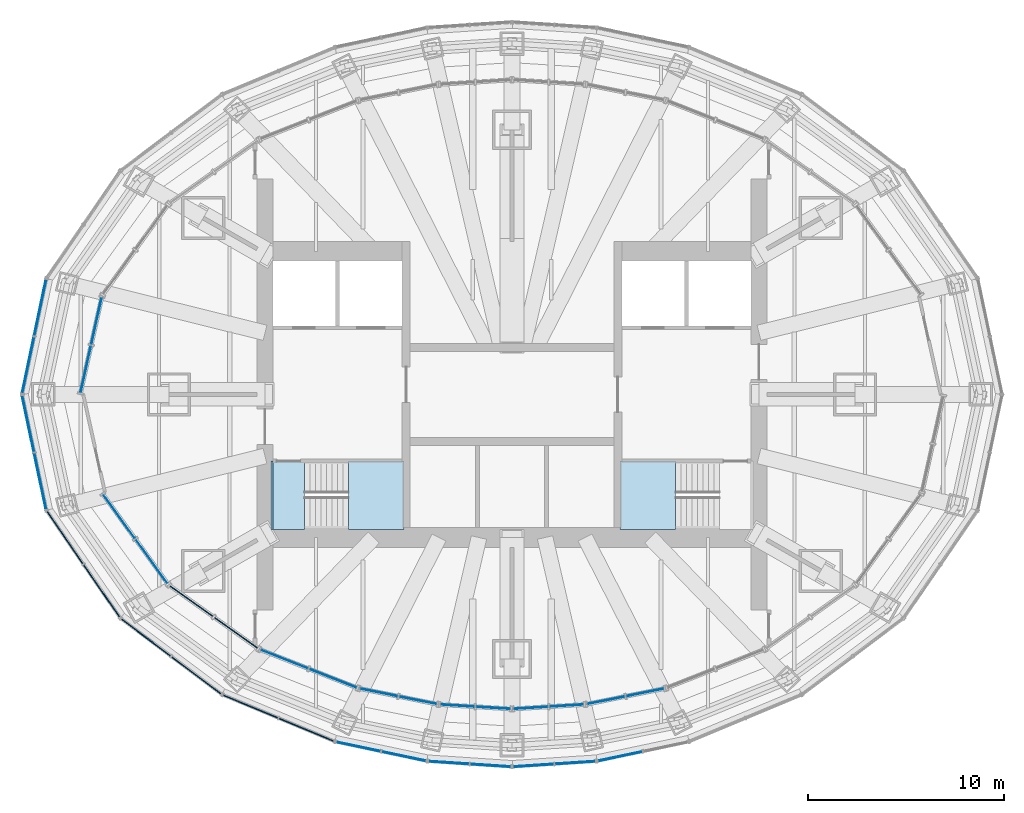
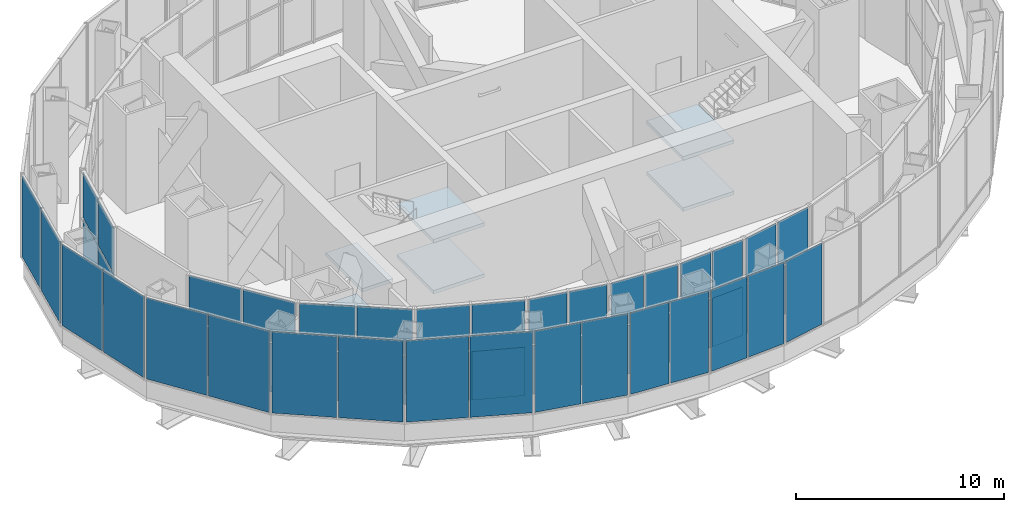
# One storey, part 13 of 21: 49 plates, 6 slabs, 19 elements without a shape of their own.
"""IFC4 building model written with IfcOpenShell, lengths in metres."""

import ifcopenshell
import ifcopenshell.guid

model = None  # the IFC model being written
_history = None  # IfcOwnerHistory: only IFC2X3 demands one
_inside = {}  # id of a spatial element -> (the spatial element, [elements in it])
_under = {}  # id of a project, library or spatial element -> (it, [spatial elements below it])
_declared = {}  # id of a project -> (the project, [libraries it declares])
_typed = {}  # id of a type object -> (the type object, [elements of that type])
_made_of = {}  # id of a material, layer set ... -> (it, [elements and type objects made of it])


def new_model(schema):
    """Start an empty IFC model of exactly this schema.

    Asked for "IFC4X3", IfcOpenShell would pick the latest addendum, in which some entities
    have other attributes; the version numbers below select the first issue.
    IFC2X3 requires an IfcOwnerHistory on every rooted entity: one is made here for all.
    """
    global model, _history
    if schema == "IFC4X3":
        model = ifcopenshell.file(schema_version=(4, 3, 0, 0))
    else:
        model = ifcopenshell.file(schema=schema)
    _inside.clear()
    _under.clear()
    _declared.clear()
    _typed.clear()
    _made_of.clear()
    _history = None
    if model.schema == "IFC2X3":
        org = make("IfcOrganization", Name="unknown")
        user = make(
            "IfcPersonAndOrganization",
            ThePerson=make("IfcPerson", FamilyName="unknown"),
            TheOrganization=org,
        )
        app = make(
            "IfcApplication",
            ApplicationDeveloper=org,
            Version="unknown",
            ApplicationFullName="unknown",
            ApplicationIdentifier="unknown",
        )
        _history = make(
            "IfcOwnerHistory",
            OwningUser=user,
            OwningApplication=app,
            ChangeAction="ADDED",
            CreationDate=0,
        )
    return model


def make(cls, **values):
    """One entity of the class cls with the attributes given. An attribute that is None is left unset."""
    return model.create_entity(
        cls, **{name: value for name, value in values.items() if value is not None}
    )


def rooted(cls, **values):
    """An entity with a GlobalId (a new one), such as an element, a storey or a relation."""
    return make(cls, GlobalId=ifcopenshell.guid.new(), OwnerHistory=_history, **values)


def si_unit(unit_type, name, prefix=None):
    """IfcSIUnit, for example si_unit("LENGTHUNIT", "METRE", prefix="MILLI")."""
    return make("IfcSIUnit", UnitType=unit_type, Prefix=prefix, Name=name)


def assignment(units):
    """IfcUnitAssignment: the units of a project."""
    return None if units is None else make("IfcUnitAssignment", Units=units)


def point(xyz):
    """IfcCartesianPoint."""
    return None if xyz is None else make("IfcCartesianPoint", Coordinates=xyz)


def direction(xyz):
    """IfcDirection."""
    return None if xyz is None else make("IfcDirection", DirectionRatios=xyz)


def frame(location, z_axis=None, x_axis=None):
    """IfcAxis2Placement3D, a coordinate frame: its origin and axes. An axis left out is left unset."""
    return make(
        "IfcAxis2Placement3D",
        Location=point(location),
        Axis=direction(z_axis),
        RefDirection=direction(x_axis),
    )


def frame_2d(location, x_axis=None):
    """IfcAxis2Placement2D, a coordinate frame in the plane: its origin and x axis."""
    return make(
        "IfcAxis2Placement2D", Location=point(location), RefDirection=direction(x_axis)
    )


def origin():
    """The frame at (0, 0, 0) with its axes left unset."""
    return frame((0.0, 0.0, 0.0))


def origin_2d():
    """The frame at (0, 0) in the plane with its x axis left unset."""
    return frame_2d((0.0, 0.0))


def place(relative_to, where):
    """IfcLocalPlacement: puts the frame where relative to a parent placement (None: the world)."""
    return make(
        "IfcLocalPlacement", PlacementRelTo=relative_to, RelativePlacement=where
    )


def context(
    kind, dimensions, precision=None, world=None, true_north=None, identifier=None
):
    """IfcGeometricRepresentationContext, for example the 3D "Model" context."""
    return make(
        "IfcGeometricRepresentationContext",
        ContextIdentifier=identifier,
        ContextType=kind,
        CoordinateSpaceDimension=dimensions,
        Precision=precision,
        WorldCoordinateSystem=world,
        TrueNorth=true_north,
    )


def subcontext(parent, identifier, kind, view, scale=None):
    """IfcGeometricRepresentationSubContext, for example "Body" below "Model"."""
    return make(
        "IfcGeometricRepresentationSubContext",
        ContextIdentifier=identifier,
        ContextType=kind,
        ParentContext=parent,
        TargetScale=scale,
        TargetView=view,
    )


def project(units=None, contexts=None):
    """IfcProject with its units and contexts."""
    return rooted(
        "IfcProject",
        Name="project",
        RepresentationContexts=contexts,
        UnitsInContext=assignment(units),
    )


def spatial(cls, under=None, at=None, **own):
    """A site, building, storey or space (cls), placed at a placement, below another one or the project."""
    s = rooted(cls, ObjectPlacement=at, **own)
    if under is not None:
        _under.setdefault(under.id(), (under, []))[1].append(s)
    return s


def polyline(points):
    """IfcPolyline through the points."""
    return make("IfcPolyline", Points=[point(p) for p in points])


def profile(cls, at=None, kind="AREA", **sizes):
    """A parametric profile (cls). Its sizes go by their IFC names, for example OverallWidth=200.0."""
    return make(cls, ProfileType=kind, Position=at, **sizes)


def rectangle(**sizes):
    """IfcRectangleProfileDef."""
    return profile("IfcRectangleProfileDef", **sizes)


def outline(outer, holes=None, kind="AREA"):
    """IfcArbitraryClosedProfileDef: a profile drawn as a closed curve; with holes, ...WithVoids."""
    if holes is None:
        return make("IfcArbitraryClosedProfileDef", ProfileType=kind, OuterCurve=outer)
    return make(
        "IfcArbitraryProfileDefWithVoids",
        ProfileType=kind,
        OuterCurve=outer,
        InnerCurves=holes,
    )


def extrude(swept, where, along, depth):
    """IfcExtrudedAreaSolid: the profile swept, set in the frame where, extruded along a direction by depth."""
    return make(
        "IfcExtrudedAreaSolid",
        SweptArea=swept,
        Position=where,
        ExtrudedDirection=direction(along),
        Depth=depth,
    )


def shape(context_of_items, identifier, shape_type, items):
    """IfcShapeRepresentation: the items that make up one representation, for example the "Body"."""
    return make(
        "IfcShapeRepresentation",
        ContextOfItems=context_of_items,
        RepresentationIdentifier=identifier,
        RepresentationType=shape_type,
        Items=items,
    )


def material(Name=None, Category=None):
    """IfcMaterial."""
    return make("IfcMaterial", Name=Name, Category=Category)


def layer(
    of_material, thickness, ventilated=None, Name=None, Category=None, Priority=None
):
    """IfcMaterialLayer: one layer of a wall or slab, of a material (None: an air gap)."""
    return make(
        "IfcMaterialLayer",
        Material=of_material,
        LayerThickness=thickness,
        IsVentilated=ventilated,
        Name=Name,
        Category=Category,
        Priority=Priority,
    )


def layer_set(layers, Name=None):
    """IfcMaterialLayerSet."""
    return make("IfcMaterialLayerSet", MaterialLayers=layers, LayerSetName=Name)


def made_of(thing, what):
    """Note that an element or type object is made of a material, layer set ...; save() writes the relation."""
    if what is not None:
        _made_of.setdefault(what.id(), (what, []))[1].append(thing)
    return thing


def type_object(cls, material=None, **own):
    """A type object (cls), such as IfcWallType, which elements share."""
    return made_of(rooted(cls, **own), material)


def element(
    cls,
    number,
    at=None,
    inside=None,
    cuts=None,
    type_object=None,
    material=None,
    context=None,
    identifier="Body",
    shape_type=None,
    held_by="IfcProductDefinitionShape",
    body=None,
    shapes=None,
    **own,
):
    """One element of the class cls, such as IfcWall. Its Tag is "e" and its number.

    at: its placement. inside: the storey or other place that contains it. cuts: it is an
    opening in that element (IfcRelVoidsElement). A single representation is given by context,
    identifier, shape_type and body (its items); several are given by shapes. held_by: the class
    of the entity that holds the representations. save() writes the other relations.
    """
    e = rooted(cls, Tag="e%d" % number, ObjectPlacement=at, **own)
    if body is not None:
        shapes = [shape(context, identifier, shape_type, body)]
    if shapes is not None:
        e.Representation = make(held_by, Representations=shapes)
    if inside is not None:
        _inside.setdefault(inside.id(), (inside, []))[1].append(e)
    if cuts is not None:
        rooted(
            "IfcRelVoidsElement", RelatingBuildingElement=cuts, RelatedOpeningElement=e
        )
    if type_object is not None:
        _typed.setdefault(type_object.id(), (type_object, []))[1].append(e)
    return made_of(e, material)


def aggregate(whole, parts):
    """IfcRelAggregates: a whole, such as a stair, and the parts it consists of."""
    return rooted("IfcRelAggregates", RelatingObject=whole, RelatedObjects=parts)


def save(model, path):
    """Write the relations noted so far, then the file.

    IfcRelAggregates (storeys below a building ...), IfcRelContainedInSpatialStructure (elements
    in a storey), IfcRelDefinesByType, IfcRelAssociatesMaterial and IfcRelDeclares: one each for
    every whole, place, type object, material and project.
    """
    for whole, parts in _under.values():
        aggregate(whole, parts)
    for where, things in _inside.values():
        rooted(
            "IfcRelContainedInSpatialStructure",
            RelatedElements=things,
            RelatingStructure=where,
        )
    for kind, things in _typed.values():
        rooted("IfcRelDefinesByType", RelatedObjects=things, RelatingType=kind)
    for what, things in _made_of.values():
        rooted("IfcRelAssociatesMaterial", RelatedObjects=things, RelatingMaterial=what)
    for by, libraries in _declared.values():
        rooted("IfcRelDeclares", RelatingContext=by, RelatedDefinitions=libraries)
    model.write(path)


model = new_model("IFC4")

# Units and contexts
model_context = context("Model", 3, precision=1e-05, world=origin(), true_north=direction((0.0, 1.0)))
body_context = subcontext(model_context, "Body", "Model", "MODEL_VIEW")
ifc_project = project(units=[si_unit("LENGTHUNIT", "METRE"), si_unit("AREAUNIT", "SQUARE_METRE"), si_unit("VOLUMEUNIT", "CUBIC_METRE"), si_unit("PLANEANGLEUNIT", "RADIAN"), si_unit("MASSUNIT", "GRAM", prefix="KILO")], contexts=[model_context])

# Site, building, storey
site_placement = place(None, origin())
site = spatial("IfcSite", under=ifc_project, at=site_placement, CompositionType="ELEMENT")
building_placement = place(site_placement, origin())
building = spatial("IfcBuilding", under=site, at=building_placement, Name="Lantaw Convention Tower", CompositionType="ELEMENT")
storey_placement = place(building_placement, frame((0.0, 0.0, 284.39990234375)))
storey = spatial("IfcBuildingStorey", under=building, at=storey_placement, Name="L66", CompositionType="ELEMENT", Elevation=284.39990234375)

# Curtain wall, plates
ifc_material_1 = material(Name="Aluminium framed curtain wall", Category="aluminium")
curtain_wall_type_1 = type_object("IfcCurtainWallType", Name="Lantern corner louvre curtain wall, pale aluminium", PredefinedType="USERDEFINED", material=ifc_material_1)
curtain_wall_1_placement = place(storey_placement, origin())
curtain_wall_1 = element("IfcCurtainWall", 1, at=curtain_wall_1_placement, inside=storey, type_object=curtain_wall_type_1, Name="Lantern corner louvre curtain wall, pale aluminium L66", ObjectType="LOUVRE WALL", PredefinedType="USERDEFINED")
ifc_material_2 = material(Name="Aluminium louvre blades", Category="aluminium")
ifc_layer_1 = layer(ifc_material_2, 0.050048828125)
ifc_layer_set_1 = layer_set([ifc_layer_1], Name="CW-LC panel 50")
plate_type_1 = type_object("IfcPlateType", Name="CW-LC panel 50", PredefinedType="CURTAIN_PANEL", material=ifc_layer_set_1)
plate_1_placement = place(storey_placement, frame((-16.344970703125, -10.549072265625, 0.10009765625), z_axis=(0.0, 0.0, 1.0), x_axis=(0.814841441337, -0.579683901346, 0.0)))
plate_1 = element("IfcPlate", 2, at=plate_1_placement, type_object=plate_type_1, Name="CW-LC panel 1.1", PredefinedType="CURTAIN_PANEL", context=body_context, shape_type="SweptSolid", body=[
    extrude(rectangle(XDim=2.680419921875, YDim=0.050048828125, at=origin_2d()), origin(), (0.0, 0.0, 1.0), 2.85009765625),
])
plate_2_placement = place(storey_placement, frame((-16.344970703125, -10.549072265625, 3.050048828125), z_axis=(0.0, 0.0, 1.0), x_axis=(0.814841441337, -0.579683901346, 0.0)))
plate_2 = element("IfcPlate", 3, at=plate_2_placement, type_object=plate_type_1, Name="CW-LC panel 1.2", PredefinedType="CURTAIN_PANEL", context=body_context, shape_type="SweptSolid", body=[
    extrude(rectangle(XDim=2.680419921875, YDim=0.050048828125, at=origin_2d()), origin(), (0.0, 0.0, 1.0), 2.64990234375),
])
plate_3_placement = place(storey_placement, frame((-14.079345703125, -12.16064453125, 0.10009765625), z_axis=(0.0, 0.0, 1.0), x_axis=(0.814841441337, -0.579683901346, 0.0)))
plate_3 = element("IfcPlate", 4, at=plate_3_placement, type_object=plate_type_1, Name="CW-LC panel 2.1", PredefinedType="CURTAIN_PANEL", context=body_context, shape_type="SweptSolid", body=[
    extrude(rectangle(XDim=2.680419921875, YDim=0.050048828125, at=origin_2d()), origin(), (0.0, 0.0, 1.0), 2.85009765625),
])
plate_4_placement = place(storey_placement, frame((-14.079345703125, -12.16064453125, 3.050048828125), z_axis=(0.0, 0.0, 1.0), x_axis=(0.814841441337, -0.579683901346, 0.0)))
plate_4 = element("IfcPlate", 5, at=plate_4_placement, type_object=plate_type_1, Name="CW-LC panel 2.2", PredefinedType="CURTAIN_PANEL", context=body_context, shape_type="SweptSolid", body=[
    extrude(rectangle(XDim=2.680419921875, YDim=0.050048828125, at=origin_2d()), origin(), (0.0, 0.0, 1.0), 2.64990234375),
])
aggregate(curtain_wall_1, [plate_1, plate_2, plate_3, plate_4])

curtain_wall_type_2 = type_object("IfcCurtainWallType", Name="LANTERN glazing curtain wall, pale aluminium", PredefinedType="USERDEFINED", material=ifc_material_1)
curtain_wall_2_placement = place(storey_placement, origin())
curtain_wall_2 = element("IfcCurtainWall", 6, at=curtain_wall_2_placement, inside=storey, type_object=curtain_wall_type_2, Name="LANTERN glazing curtain wall, pale aluminium L66", ObjectType="LANTERN GLAZING", PredefinedType="USERDEFINED")
ifc_material_3 = material(Name="Low-iron laminated glass", Category="glass")
ifc_layer_2 = layer(ifc_material_3, 0.035888671875)
ifc_layer_set_2 = layer_set([ifc_layer_2], Name="CW-LN panel 36")
plate_type_2 = type_object("IfcPlateType", Name="CW-LN panel 36", PredefinedType="CURTAIN_PANEL", material=ifc_layer_set_2)
plate_5_placement = place(storey_placement, frame((-21.193603515625, 3.75244140625, 0.10009765625), z_axis=(0.0, 0.0, 1.0), x_axis=(-0.216765379683, -0.976223729568, 0.0)))
plate_5 = element("IfcPlate", 7, at=plate_5_placement, type_object=plate_type_2, Name="CW-LN panel 1.1", PredefinedType="CURTAIN_PANEL", context=body_context, shape_type="SweptSolid", body=[
    extrude(rectangle(XDim=2.42919921875, YDim=0.035888671875, at=origin_2d()), origin(), (0.0, 0.0, 1.0), 2.85009765625),
])
plate_6_placement = place(storey_placement, frame((-21.193603515625, 3.75244140625, 3.050048828125), z_axis=(0.0, 0.0, 1.0), x_axis=(-0.216765379683, -0.976223729568, 0.0)))
plate_6 = element("IfcPlate", 8, at=plate_6_placement, type_object=plate_type_2, Name="CW-LN panel 1.2", PredefinedType="CURTAIN_PANEL", context=body_context, shape_type="SweptSolid", body=[
    extrude(rectangle(XDim=2.42919921875, YDim=0.035888671875, at=origin_2d()), origin(), (0.0, 0.0, 1.0), 2.64990234375),
])
plate_7_placement = place(storey_placement, frame((-21.741943359375, 1.283203125, 0.10009765625), z_axis=(0.0, 0.0, 1.0), x_axis=(-0.216765379683, -0.976223729568, 0.0)))
plate_7 = element("IfcPlate", 9, at=plate_7_placement, type_object=plate_type_2, Name="CW-LN panel 2.1", PredefinedType="CURTAIN_PANEL", context=body_context, shape_type="SweptSolid", body=[
    extrude(rectangle(XDim=2.42919921875, YDim=0.035888671875, at=origin_2d()), origin(), (0.0, 0.0, 1.0), 2.85009765625),
])
plate_8_placement = place(storey_placement, frame((-21.741943359375, 1.283203125, 3.050048828125), z_axis=(0.0, 0.0, 1.0), x_axis=(-0.216765379683, -0.976223729568, 0.0)))
plate_8 = element("IfcPlate", 10, at=plate_8_placement, type_object=plate_type_2, Name="CW-LN panel 2.2", PredefinedType="CURTAIN_PANEL", context=body_context, shape_type="SweptSolid", body=[
    extrude(rectangle(XDim=2.42919921875, YDim=0.035888671875, at=origin_2d()), origin(), (0.0, 0.0, 1.0), 2.64990234375),
])
aggregate(curtain_wall_2, [plate_5, plate_6, plate_7, plate_8])

curtain_wall_3_placement = place(storey_placement, origin())
curtain_wall_3 = element("IfcCurtainWall", 11, at=curtain_wall_3_placement, inside=storey, type_object=curtain_wall_type_2, Name="LANTERN glazing curtain wall, pale aluminium L66", ObjectType="LANTERN GLAZING", PredefinedType="USERDEFINED")
plate_9_placement = place(storey_placement, frame((-20.04638671875, -6.2255859375, 0.10009765625), z_axis=(0.0, 0.0, 1.0), x_axis=(0.586786346995, -0.809741800193, 0.0)))
plate_9 = element("IfcPlate", 12, at=plate_9_placement, type_object=plate_type_2, Name="CW-LN panel 1.1", PredefinedType="CURTAIN_PANEL", context=body_context, shape_type="SweptSolid", body=[
    extrude(rectangle(XDim=2.73876953125, YDim=0.035888671875, at=origin_2d()), origin(), (0.0, 0.0, 1.0), 2.85009765625),
])
plate_10_placement = place(storey_placement, frame((-20.04638671875, -6.2255859375, 3.050048828125), z_axis=(0.0, 0.0, 1.0), x_axis=(0.586786346995, -0.809741800193, 0.0)))
plate_10 = element("IfcPlate", 13, at=plate_10_placement, type_object=plate_type_2, Name="CW-LN panel 1.2", PredefinedType="CURTAIN_PANEL", context=body_context, shape_type="SweptSolid", body=[
    extrude(rectangle(XDim=2.73876953125, YDim=0.035888671875, at=origin_2d()), origin(), (0.0, 0.0, 1.0), 2.64990234375),
])
plate_11_placement = place(storey_placement, frame((-18.380615234375, -8.524169921875, 0.10009765625), z_axis=(0.0, 0.0, 1.0), x_axis=(0.586786346995, -0.809741800193, 0.0)))
plate_11 = element("IfcPlate", 14, at=plate_11_placement, type_object=plate_type_2, Name="CW-LN panel 2.1", PredefinedType="CURTAIN_PANEL", context=body_context, shape_type="SweptSolid", body=[
    extrude(rectangle(XDim=2.73876953125, YDim=0.035888671875, at=origin_2d()), origin(), (0.0, 0.0, 1.0), 2.85009765625),
])
plate_12_placement = place(storey_placement, frame((-18.380615234375, -8.524169921875, 3.050048828125), z_axis=(0.0, 0.0, 1.0), x_axis=(0.586786346995, -0.809741800193, 0.0)))
plate_12 = element("IfcPlate", 15, at=plate_12_placement, type_object=plate_type_2, Name="CW-LN panel 2.2", PredefinedType="CURTAIN_PANEL", context=body_context, shape_type="SweptSolid", body=[
    extrude(rectangle(XDim=2.73876953125, YDim=0.035888671875, at=origin_2d()), origin(), (0.0, 0.0, 1.0), 2.64990234375),
])
aggregate(curtain_wall_3, [plate_9, plate_10, plate_11, plate_12])

curtain_wall_4_placement = place(storey_placement, origin())
curtain_wall_4 = element("IfcCurtainWall", 16, at=curtain_wall_4_placement, inside=storey, type_object=curtain_wall_type_2, Name="LANTERN glazing curtain wall, pale aluminium L66", ObjectType="LANTERN GLAZING", PredefinedType="USERDEFINED")
plate_13_placement = place(storey_placement, frame((-11.615234375, -13.50439453125, 0.10009765625), z_axis=(0.0, 0.0, 1.0), x_axis=(0.930299050885, -0.366801957358, 0.0)))
plate_13 = element("IfcPlate", 17, at=plate_13_placement, type_object=plate_type_2, Name="CW-LN panel 1.1", PredefinedType="CURTAIN_PANEL", context=body_context, shape_type="SweptSolid", body=[
    extrude(rectangle(XDim=2.574462890625, YDim=0.035888671875, at=origin_2d()), origin(), (0.0, 0.0, 1.0), 2.85009765625),
])
plate_14_placement = place(storey_placement, frame((-11.615234375, -13.50439453125, 3.050048828125), z_axis=(0.0, 0.0, 1.0), x_axis=(0.930299050885, -0.366801957358, 0.0)))
plate_14 = element("IfcPlate", 18, at=plate_14_placement, type_object=plate_type_2, Name="CW-LN panel 1.2", PredefinedType="CURTAIN_PANEL", context=body_context, shape_type="SweptSolid", body=[
    extrude(rectangle(XDim=2.574462890625, YDim=0.035888671875, at=origin_2d()), origin(), (0.0, 0.0, 1.0), 2.64990234375),
])
plate_15_placement = place(storey_placement, frame((-9.127197265625, -14.4853515625, 0.10009765625), z_axis=(0.0, 0.0, 1.0), x_axis=(0.930299050885, -0.366801957358, 0.0)))
plate_15 = element("IfcPlate", 19, at=plate_15_placement, type_object=plate_type_2, Name="CW-LN panel 2.1", PredefinedType="CURTAIN_PANEL", context=body_context, shape_type="SweptSolid", body=[
    extrude(rectangle(XDim=2.574462890625, YDim=0.035888671875, at=origin_2d()), origin(), (0.0, 0.0, 1.0), 2.85009765625),
])
plate_16_placement = place(storey_placement, frame((-9.127197265625, -14.4853515625, 3.050048828125), z_axis=(0.0, 0.0, 1.0), x_axis=(0.930299050885, -0.366801957358, 0.0)))
plate_16 = element("IfcPlate", 20, at=plate_16_placement, type_object=plate_type_2, Name="CW-LN panel 2.2", PredefinedType="CURTAIN_PANEL", context=body_context, shape_type="SweptSolid", body=[
    extrude(rectangle(XDim=2.574462890625, YDim=0.035888671875, at=origin_2d()), origin(), (0.0, 0.0, 1.0), 2.64990234375),
])
aggregate(curtain_wall_4, [plate_13, plate_14, plate_15, plate_16])

curtain_wall_5_placement = place(storey_placement, origin())
curtain_wall_5 = element("IfcCurtainWall", 21, at=curtain_wall_5_placement, inside=storey, type_object=curtain_wall_type_2, Name="LANTERN glazing curtain wall, pale aluminium L66", ObjectType="LANTERN GLAZING", PredefinedType="USERDEFINED")
plate_17_placement = place(storey_placement, frame((-6.789306640625, -15.2041015625, 0.10009765625), z_axis=(0.0, 0.0, 1.0), x_axis=(0.980530423622, -0.196367228305, 0.0)))
plate_17 = element("IfcPlate", 22, at=plate_17_placement, type_object=plate_type_2, Name="CW-LN panel 1.1", PredefinedType="CURTAIN_PANEL", context=body_context, shape_type="SweptSolid", body=[
    extrude(rectangle(XDim=1.936279296875, YDim=0.035888671875, at=origin_2d()), origin(), (0.0, 0.0, 1.0), 2.85009765625),
])
plate_18_placement = place(storey_placement, frame((-6.789306640625, -15.2041015625, 3.050048828125), z_axis=(0.0, 0.0, 1.0), x_axis=(0.980530423622, -0.196367228305, 0.0)))
plate_18 = element("IfcPlate", 23, at=plate_18_placement, type_object=plate_type_2, Name="CW-LN panel 1.2", PredefinedType="CURTAIN_PANEL", context=body_context, shape_type="SweptSolid", body=[
    extrude(rectangle(XDim=1.936279296875, YDim=0.035888671875, at=origin_2d()), origin(), (0.0, 0.0, 1.0), 2.64990234375),
])
plate_19_placement = place(storey_placement, frame((-4.792724609375, -15.60400390625, 0.10009765625), z_axis=(0.0, 0.0, 1.0), x_axis=(0.980530423622, -0.196367228305, 0.0)))
plate_19 = element("IfcPlate", 24, at=plate_19_placement, type_object=plate_type_2, Name="CW-LN panel 2.1", PredefinedType="CURTAIN_PANEL", context=body_context, shape_type="SweptSolid", body=[
    extrude(rectangle(XDim=1.936279296875, YDim=0.035888671875, at=origin_2d()), origin(), (0.0, 0.0, 1.0), 2.85009765625),
])
plate_20_placement = place(storey_placement, frame((-4.792724609375, -15.60400390625, 3.050048828125), z_axis=(0.0, 0.0, 1.0), x_axis=(0.980530423622, -0.196367228305, 0.0)))
plate_20 = element("IfcPlate", 25, at=plate_20_placement, type_object=plate_type_2, Name="CW-LN panel 2.2", PredefinedType="CURTAIN_PANEL", context=body_context, shape_type="SweptSolid", body=[
    extrude(rectangle(XDim=1.936279296875, YDim=0.035888671875, at=origin_2d()), origin(), (0.0, 0.0, 1.0), 2.64990234375),
])
aggregate(curtain_wall_5, [plate_17, plate_18, plate_19, plate_20])

curtain_wall_6_placement = place(storey_placement, origin())
curtain_wall_6 = element("IfcCurtainWall", 26, at=curtain_wall_6_placement, inside=storey, type_object=curtain_wall_type_2, Name="LANTERN glazing curtain wall, pale aluminium L66", ObjectType="LANTERN GLAZING", PredefinedType="USERDEFINED")
plate_21_placement = place(storey_placement, frame((-2.783935546875, -15.873779296875, 0.10009765625), z_axis=(0.0, 0.0, 1.0), x_axis=(0.998045676091, -0.062488626454, 0.0)))
plate_21 = element("IfcPlate", 27, at=plate_21_placement, type_object=plate_type_2, Name="CW-LN panel 1.1", PredefinedType="CURTAIN_PANEL", context=body_context, shape_type="SweptSolid", body=[
    extrude(rectangle(XDim=1.726318359375, YDim=0.035888671875, at=origin_2d()), origin(), (0.0, 0.0, 1.0), 2.85009765625),
])
plate_22_placement = place(storey_placement, frame((-2.783935546875, -15.873779296875, 3.050048828125), z_axis=(0.0, 0.0, 1.0), x_axis=(0.998045676091, -0.062488626454, 0.0)))
plate_22 = element("IfcPlate", 28, at=plate_22_placement, type_object=plate_type_2, Name="CW-LN panel 1.2", PredefinedType="CURTAIN_PANEL", context=body_context, shape_type="SweptSolid", body=[
    extrude(rectangle(XDim=1.726318359375, YDim=0.035888671875, at=origin_2d()), origin(), (0.0, 0.0, 1.0), 2.64990234375),
])
plate_23_placement = place(storey_placement, frame((-0.961181640625, -15.988037109375, 0.10009765625), z_axis=(0.0, 0.0, 1.0), x_axis=(0.998045676091, -0.062488626454, 0.0)))
plate_23 = element("IfcPlate", 29, at=plate_23_placement, type_object=plate_type_2, Name="CW-LN panel 2.1", PredefinedType="CURTAIN_PANEL", context=body_context, shape_type="SweptSolid", body=[
    extrude(rectangle(XDim=1.726318359375, YDim=0.035888671875, at=origin_2d()), origin(), (0.0, 0.0, 1.0), 2.85009765625),
])
plate_24_placement = place(storey_placement, frame((-0.961181640625, -15.988037109375, 3.050048828125), z_axis=(0.0, 0.0, 1.0), x_axis=(0.998045676091, -0.062488626454, 0.0)))
plate_24 = element("IfcPlate", 30, at=plate_24_placement, type_object=plate_type_2, Name="CW-LN panel 2.2", PredefinedType="CURTAIN_PANEL", context=body_context, shape_type="SweptSolid", body=[
    extrude(rectangle(XDim=1.726318359375, YDim=0.035888671875, at=origin_2d()), origin(), (0.0, 0.0, 1.0), 2.64990234375),
])
aggregate(curtain_wall_6, [plate_21, plate_22, plate_23, plate_24])

curtain_wall_7_placement = place(storey_placement, origin())
curtain_wall_7 = element("IfcCurtainWall", 31, at=curtain_wall_7_placement, inside=storey, type_object=curtain_wall_type_2, Name="LANTERN glazing curtain wall, pale aluminium L66", ObjectType="LANTERN GLAZING", PredefinedType="USERDEFINED")
plate_25_placement = place(storey_placement, frame((0.961181640625, -15.988037109375, 0.10009765625), z_axis=(0.0, 0.0, 1.0), x_axis=(0.998045676091, 0.062488626454, 0.0)))
plate_25 = element("IfcPlate", 32, at=plate_25_placement, type_object=plate_type_2, Name="CW-LN panel 1.1", PredefinedType="CURTAIN_PANEL", context=body_context, shape_type="SweptSolid", body=[
    extrude(rectangle(XDim=1.726318359375, YDim=0.035888671875, at=origin_2d()), origin(), (0.0, 0.0, 1.0), 2.85009765625),
])
plate_26_placement = place(storey_placement, frame((0.961181640625, -15.988037109375, 3.050048828125), z_axis=(0.0, 0.0, 1.0), x_axis=(0.998045676091, 0.062488626454, 0.0)))
plate_26 = element("IfcPlate", 33, at=plate_26_placement, type_object=plate_type_2, Name="CW-LN panel 1.2", PredefinedType="CURTAIN_PANEL", context=body_context, shape_type="SweptSolid", body=[
    extrude(rectangle(XDim=1.726318359375, YDim=0.035888671875, at=origin_2d()), origin(), (0.0, 0.0, 1.0), 2.64990234375),
])
plate_27_placement = place(storey_placement, frame((2.783935546875, -15.873779296875, 0.10009765625), z_axis=(0.0, 0.0, 1.0), x_axis=(0.998045676091, 0.062488626454, 0.0)))
plate_27 = element("IfcPlate", 34, at=plate_27_placement, type_object=plate_type_2, Name="CW-LN panel 2.1", PredefinedType="CURTAIN_PANEL", context=body_context, shape_type="SweptSolid", body=[
    extrude(rectangle(XDim=1.726318359375, YDim=0.035888671875, at=origin_2d()), origin(), (0.0, 0.0, 1.0), 2.85009765625),
])
plate_28_placement = place(storey_placement, frame((2.783935546875, -15.873779296875, 3.050048828125), z_axis=(0.0, 0.0, 1.0), x_axis=(0.998045676091, 0.062488626454, 0.0)))
plate_28 = element("IfcPlate", 35, at=plate_28_placement, type_object=plate_type_2, Name="CW-LN panel 2.2", PredefinedType="CURTAIN_PANEL", context=body_context, shape_type="SweptSolid", body=[
    extrude(rectangle(XDim=1.726318359375, YDim=0.035888671875, at=origin_2d()), origin(), (0.0, 0.0, 1.0), 2.64990234375),
])
aggregate(curtain_wall_7, [plate_25, plate_26, plate_27, plate_28])

curtain_wall_8_placement = place(storey_placement, origin())
curtain_wall_8 = element("IfcCurtainWall", 36, at=curtain_wall_8_placement, inside=storey, type_object=curtain_wall_type_2, Name="LANTERN glazing curtain wall, pale aluminium L66", ObjectType="LANTERN GLAZING", PredefinedType="USERDEFINED")
plate_29_placement = place(storey_placement, frame((4.792724609375, -15.60400390625, 0.10009765625), z_axis=(0.0, 0.0, 1.0), x_axis=(0.980530423622, 0.196367228305, 0.0)))
plate_29 = element("IfcPlate", 37, at=plate_29_placement, type_object=plate_type_2, Name="CW-LN panel 1.1", PredefinedType="CURTAIN_PANEL", context=body_context, shape_type="SweptSolid", body=[
    extrude(rectangle(XDim=1.936279296875, YDim=0.035888671875, at=origin_2d()), origin(), (0.0, 0.0, 1.0), 2.85009765625),
])
plate_30_placement = place(storey_placement, frame((4.792724609375, -15.60400390625, 3.050048828125), z_axis=(0.0, 0.0, 1.0), x_axis=(0.980530423622, 0.196367228305, 0.0)))
plate_30 = element("IfcPlate", 38, at=plate_30_placement, type_object=plate_type_2, Name="CW-LN panel 1.2", PredefinedType="CURTAIN_PANEL", context=body_context, shape_type="SweptSolid", body=[
    extrude(rectangle(XDim=1.936279296875, YDim=0.035888671875, at=origin_2d()), origin(), (0.0, 0.0, 1.0), 2.64990234375),
])
plate_31_placement = place(storey_placement, frame((6.789306640625, -15.2041015625, 0.10009765625), z_axis=(0.0, 0.0, 1.0), x_axis=(0.980530423622, 0.196367228305, 0.0)))
plate_31 = element("IfcPlate", 39, at=plate_31_placement, type_object=plate_type_2, Name="CW-LN panel 2.1", PredefinedType="CURTAIN_PANEL", context=body_context, shape_type="SweptSolid", body=[
    extrude(rectangle(XDim=1.936279296875, YDim=0.035888671875, at=origin_2d()), origin(), (0.0, 0.0, 1.0), 2.85009765625),
])
plate_32_placement = place(storey_placement, frame((6.789306640625, -15.2041015625, 3.050048828125), z_axis=(0.0, 0.0, 1.0), x_axis=(0.980530423622, 0.196367228305, 0.0)))
plate_32 = element("IfcPlate", 40, at=plate_32_placement, type_object=plate_type_2, Name="CW-LN panel 2.2", PredefinedType="CURTAIN_PANEL", context=body_context, shape_type="SweptSolid", body=[
    extrude(rectangle(XDim=1.936279296875, YDim=0.035888671875, at=origin_2d()), origin(), (0.0, 0.0, 1.0), 2.64990234375),
])
aggregate(curtain_wall_8, [plate_29, plate_30, plate_31, plate_32])

curtain_wall_type_3 = type_object("IfcCurtainWallType", Name="Plant floor louvre wall, pale aluminium", PredefinedType="USERDEFINED", material=ifc_material_1)
curtain_wall_9_placement = place(storey_placement, origin())
curtain_wall_9 = element("IfcCurtainWall", 41, at=curtain_wall_9_placement, inside=storey, type_object=curtain_wall_type_3, Name="Plant floor louvre wall, pale aluminium L66", ObjectType="LOUVRE WALL", PredefinedType="USERDEFINED")
ifc_layer_3 = layer(ifc_material_2, 0.050048828125)
ifc_layer_set_3 = layer_set([ifc_layer_3], Name="CW-LV panel 50")
plate_type_3 = type_object("IfcPlateType", Name="CW-LV panel 50", PredefinedType="CURTAIN_PANEL", material=ifc_layer_set_3)
plate_33_placement = place(storey_placement, frame((-24.0693359375, 4.4248046875, 1.169921875), z_axis=(0.0, 0.0, 1.0), x_axis=(-0.205814054946, -0.978591117263, 0.0)))
plate_33 = element("IfcPlate", 42, at=plate_33_placement, type_object=plate_type_3, Name="CW-LV panel 1.1", PredefinedType="CURTAIN_PANEL", context=body_context, shape_type="SweptSolid", body=[
    extrude(rectangle(XDim=2.921142578125, YDim=0.050048828125, at=origin_2d()), origin(), (0.0, 0.0, 1.0), 4.760009765625),
])
plate_34_placement = place(storey_placement, frame((-24.68505859375, 1.497802734375, 1.169921875), z_axis=(0.0, 0.0, 1.0), x_axis=(-0.205814054946, -0.978591117263, 0.0)))
plate_34 = element("IfcPlate", 43, at=plate_34_placement, type_object=plate_type_3, Name="CW-LV panel 2.1", PredefinedType="CURTAIN_PANEL", context=body_context, shape_type="SweptSolid", body=[
    extrude(rectangle(XDim=2.921142578125, YDim=0.050048828125, at=origin_2d()), origin(), (0.0, 0.0, 1.0), 4.760009765625),
])
aggregate(curtain_wall_9, [plate_33, plate_34])

curtain_wall_10_placement = place(storey_placement, origin())
curtain_wall_10 = element("IfcCurtainWall", 44, at=curtain_wall_10_placement, inside=storey, type_object=curtain_wall_type_3, Name="Plant floor louvre wall, pale aluminium L66", ObjectType="LOUVRE WALL", PredefinedType="USERDEFINED")
plate_35_placement = place(storey_placement, frame((-24.68505859375, -1.497802734375, 1.169921875), z_axis=(0.0, 0.0, 1.0), x_axis=(0.205814054946, -0.978591117263, 0.0)))
plate_35 = element("IfcPlate", 45, at=plate_35_placement, type_object=plate_type_3, Name="CW-LV panel 1.1", PredefinedType="CURTAIN_PANEL", context=body_context, shape_type="SweptSolid", body=[
    extrude(rectangle(XDim=2.921142578125, YDim=0.050048828125, at=origin_2d()), origin(), (0.0, 0.0, 1.0), 4.760009765625),
])
plate_36_placement = place(storey_placement, frame((-24.0693359375, -4.4248046875, 1.169921875), z_axis=(0.0, 0.0, 1.0), x_axis=(0.205814054946, -0.978591117263, 0.0)))
plate_36 = element("IfcPlate", 46, at=plate_36_placement, type_object=plate_type_3, Name="CW-LV panel 2.1", PredefinedType="CURTAIN_PANEL", context=body_context, shape_type="SweptSolid", body=[
    extrude(rectangle(XDim=2.921142578125, YDim=0.050048828125, at=origin_2d()), origin(), (0.0, 0.0, 1.0), 4.760009765625),
])
aggregate(curtain_wall_10, [plate_35, plate_36])

curtain_wall_11_placement = place(storey_placement, origin())
curtain_wall_11 = element("IfcCurtainWall", 47, at=curtain_wall_11_placement, inside=storey, type_object=curtain_wall_type_3, Name="Plant floor louvre wall, pale aluminium L66", ObjectType="LOUVRE WALL", PredefinedType="USERDEFINED")
plate_37_placement = place(storey_placement, frame((-22.80126953125, -7.31103515625, 1.169921875), z_axis=(0.0, 0.0, 1.0), x_axis=(0.565934832921, -0.824449977189, 0.0)))
plate_37 = element("IfcPlate", 48, at=plate_37_placement, type_object=plate_type_3, Name="CW-LV panel 1.1", PredefinedType="CURTAIN_PANEL", context=body_context, shape_type="SweptSolid", body=[
    extrude(rectangle(XDim=3.22802734375, YDim=0.050048828125, at=origin_2d()), origin(), (0.0, 0.0, 1.0), 4.760009765625),
])
plate_38_placement = place(storey_placement, frame((-20.93505859375, -10.030029296875, 1.169921875), z_axis=(0.0, 0.0, 1.0), x_axis=(0.565934832921, -0.824449977189, 0.0)))
plate_38 = element("IfcPlate", 49, at=plate_38_placement, type_object=plate_type_3, Name="CW-LV panel 2.1", PredefinedType="CURTAIN_PANEL", context=body_context, shape_type="SweptSolid", body=[
    extrude(rectangle(XDim=3.22802734375, YDim=0.050048828125, at=origin_2d()), origin(), (0.0, 0.0, 1.0), 4.760009765625),
])
aggregate(curtain_wall_11, [plate_37, plate_38])

curtain_wall_12_placement = place(storey_placement, origin())
curtain_wall_12 = element("IfcCurtainWall", 50, at=curtain_wall_12_placement, inside=storey, type_object=curtain_wall_type_3, Name="Plant floor louvre wall, pale aluminium L66", ObjectType="LOUVRE WALL", PredefinedType="USERDEFINED")
plate_39_placement = place(storey_placement, frame((-18.67041015625, -12.403564453125, 1.169921875), z_axis=(0.0, 0.0, 1.0), x_axis=(0.799517528732, -0.600642756762, 0.0)))
plate_39 = element("IfcPlate", 51, at=plate_39_placement, type_object=plate_type_3, Name="CW-LV panel 1.1", PredefinedType="CURTAIN_PANEL", context=body_context, shape_type="SweptSolid", body=[
    extrude(rectangle(XDim=3.140869140625, YDim=0.050048828125, at=origin_2d()), origin(), (0.0, 0.0, 1.0), 4.760009765625),
])
plate_40_placement = place(storey_placement, frame((-16.103271484375, -14.33203125, 1.169921875), z_axis=(0.0, 0.0, 1.0), x_axis=(0.799517528732, -0.600642756762, 0.0)))
plate_40 = element("IfcPlate", 52, at=plate_40_placement, type_object=plate_type_3, Name="CW-LV panel 2.1", PredefinedType="CURTAIN_PANEL", context=body_context, shape_type="SweptSolid", body=[
    extrude(rectangle(XDim=3.140869140625, YDim=0.050048828125, at=origin_2d()), origin(), (0.0, 0.0, 1.0), 4.760009765625),
])
aggregate(curtain_wall_12, [plate_39, plate_40])

curtain_wall_13_placement = place(storey_placement, origin())
curtain_wall_13 = element("IfcCurtainWall", 53, at=curtain_wall_13_placement, inside=storey, type_object=curtain_wall_type_3, Name="Plant floor louvre wall, pale aluminium L66", ObjectType="LOUVRE WALL", PredefinedType="USERDEFINED")
plate_41_placement = place(storey_placement, frame((-13.334716796875, -15.92431640625, 1.169921875), z_axis=(0.0, 0.0, 1.0), x_axis=(0.923141777124, -0.384459697924, 0.0)))
plate_41 = element("IfcPlate", 54, at=plate_41_placement, type_object=plate_type_3, Name="CW-LV panel 1.1", PredefinedType="CURTAIN_PANEL", context=body_context, shape_type="SweptSolid", body=[
    extrude(rectangle(XDim=3.01708984375, YDim=0.050048828125, at=origin_2d()), origin(), (0.0, 0.0, 1.0), 4.760009765625),
])
plate_42_placement = place(storey_placement, frame((-10.48486328125, -17.111083984375, 1.169921875), z_axis=(0.0, 0.0, 1.0), x_axis=(0.923141777124, -0.384459697924, 0.0)))
plate_42 = element("IfcPlate", 55, at=plate_42_placement, type_object=plate_type_3, Name="CW-LV panel 2.1", PredefinedType="CURTAIN_PANEL", context=body_context, shape_type="SweptSolid", body=[
    extrude(rectangle(XDim=3.01708984375, YDim=0.050048828125, at=origin_2d()), origin(), (0.0, 0.0, 1.0), 4.760009765625),
])
aggregate(curtain_wall_13, [plate_41, plate_42])

curtain_wall_14_placement = place(storey_placement, origin())
curtain_wall_14 = element("IfcCurtainWall", 56, at=curtain_wall_14_placement, inside=storey, type_object=curtain_wall_type_3, Name="Plant floor louvre wall, pale aluminium L66", ObjectType="LOUVRE WALL", PredefinedType="USERDEFINED")
plate_43_placement = place(storey_placement, frame((-7.833740234375, -17.970703125, 1.169921875), z_axis=(0.0, 0.0, 1.0), x_axis=(0.978332497083, -0.207039911975, 0.0)))
plate_43 = element("IfcPlate", 57, at=plate_43_placement, type_object=plate_type_3, Name="CW-LV panel 1.1", PredefinedType="CURTAIN_PANEL", context=body_context, shape_type="SweptSolid", body=[
    extrude(rectangle(XDim=2.30078125, YDim=0.050048828125, at=origin_2d()), origin(), (0.0, 0.0, 1.0), 4.760009765625),
])
plate_44_placement = place(storey_placement, frame((-5.514404296875, -18.46142578125, 1.169921875), z_axis=(0.0, 0.0, 1.0), x_axis=(0.978332497083, -0.207039911975, 0.0)))
plate_44 = element("IfcPlate", 58, at=plate_44_placement, type_object=plate_type_3, Name="CW-LV panel 2.1", PredefinedType="CURTAIN_PANEL", context=body_context, shape_type="SweptSolid", body=[
    extrude(rectangle(XDim=2.30078125, YDim=0.050048828125, at=origin_2d()), origin(), (0.0, 0.0, 1.0), 4.760009765625),
])
aggregate(curtain_wall_14, [plate_43, plate_44])

curtain_wall_15_placement = place(storey_placement, origin())
curtain_wall_15 = element("IfcCurtainWall", 59, at=curtain_wall_15_placement, inside=storey, type_object=curtain_wall_type_3, Name="Plant floor louvre wall, pale aluminium L66", ObjectType="LOUVRE WALL", PredefinedType="USERDEFINED")
plate_45_placement = place(storey_placement, frame((-3.222900390625, -18.78662109375, 1.169921875), z_axis=(0.0, 0.0, 1.0), x_axis=(0.997817975525, -0.066024902273, 0.0)))
plate_45 = element("IfcPlate", 60, at=plate_45_placement, type_object=plate_type_3, Name="CW-LV panel 1.1", PredefinedType="CURTAIN_PANEL", context=body_context, shape_type="SweptSolid", body=[
    extrude(rectangle(XDim=2.06005859375, YDim=0.050048828125, at=origin_2d()), origin(), (0.0, 0.0, 1.0), 4.760009765625),
])
plate_46_placement = place(storey_placement, frame((-1.09765625, -18.927490234375, 1.169921875), z_axis=(0.0, 0.0, 1.0), x_axis=(0.997817975525, -0.066024902273, 0.0)))
plate_46 = element("IfcPlate", 61, at=plate_46_placement, type_object=plate_type_3, Name="CW-LV panel 2.1", PredefinedType="CURTAIN_PANEL", context=body_context, shape_type="SweptSolid", body=[
    extrude(rectangle(XDim=2.06005859375, YDim=0.050048828125, at=origin_2d()), origin(), (0.0, 0.0, 1.0), 4.760009765625),
])
aggregate(curtain_wall_15, [plate_45, plate_46])

curtain_wall_16_placement = place(storey_placement, origin())
curtain_wall_16 = element("IfcCurtainWall", 62, at=curtain_wall_16_placement, inside=storey, type_object=curtain_wall_type_3, Name="Plant floor louvre wall, pale aluminium L66", ObjectType="LOUVRE WALL", PredefinedType="USERDEFINED")
plate_47_placement = place(storey_placement, frame((1.09765625, -18.927490234375, 1.169921875), z_axis=(0.0, 0.0, 1.0), x_axis=(0.997817975525, 0.066024902273, 0.0)))
plate_47 = element("IfcPlate", 63, at=plate_47_placement, type_object=plate_type_3, Name="CW-LV panel 1.1", PredefinedType="CURTAIN_PANEL", context=body_context, shape_type="SweptSolid", body=[
    extrude(rectangle(XDim=2.06005859375, YDim=0.050048828125, at=origin_2d()), origin(), (0.0, 0.0, 1.0), 4.760009765625),
])
plate_48_placement = place(storey_placement, frame((3.222900390625, -18.78662109375, 1.169921875), z_axis=(0.0, 0.0, 1.0), x_axis=(0.997817975525, 0.066024902273, 0.0)))
plate_48 = element("IfcPlate", 64, at=plate_48_placement, type_object=plate_type_3, Name="CW-LV panel 2.1", PredefinedType="CURTAIN_PANEL", context=body_context, shape_type="SweptSolid", body=[
    extrude(rectangle(XDim=2.06005859375, YDim=0.050048828125, at=origin_2d()), origin(), (0.0, 0.0, 1.0), 4.760009765625),
])
aggregate(curtain_wall_16, [plate_47, plate_48])

# Curtain wall, plate
curtain_wall_17_placement = place(storey_placement, origin())
curtain_wall_17 = element("IfcCurtainWall", 65, at=curtain_wall_17_placement, inside=storey, type_object=curtain_wall_type_3, Name="Plant floor louvre wall, pale aluminium L66", ObjectType="LOUVRE WALL", PredefinedType="USERDEFINED")
plate_49_placement = place(storey_placement, frame((5.514404296875, -18.46142578125, 1.169921875), z_axis=(0.0, 0.0, 1.0), x_axis=(0.978332497083, 0.207039911975, 0.0)))
plate_49 = element("IfcPlate", 66, at=plate_49_placement, type_object=plate_type_3, Name="CW-LV panel 1.1", PredefinedType="CURTAIN_PANEL", context=body_context, shape_type="SweptSolid", body=[
    extrude(rectangle(XDim=2.30078125, YDim=0.050048828125, at=origin_2d()), origin(), (0.0, 0.0, 1.0), 4.760009765625),
])
aggregate(curtain_wall_17, [plate_49])

# Stair, slabs
ifc_material_4 = material(Name="Concrete C35/45", Category="concrete")
stair_type = type_object("IfcStairType", Name="Exit stair 1500 riser 166.67 in 4 flights", PredefinedType="HALF_TURN_STAIR", material=ifc_material_4)
stair_1_placement = place(storey_placement, origin())
stair_1 = element("IfcStair", 67, at=stair_1_placement, inside=storey, type_object=stair_type, Name="Exit stair S1 L66", PredefinedType="HALF_TURN_STAIR")
ifc_layer_4 = layer(ifc_material_4, 0.199951171875)
ifc_layer_set_4 = layer_set([ifc_layer_4], Name="Stair landing 200")
slab_type = type_object("IfcSlabType", Name="Stair landing 200", PredefinedType="LANDING", material=ifc_layer_set_4)
slab_1_placement = place(storey_placement, frame((0.0, 0.0, -0.199951171875)))
slab_1 = element("IfcSlab", 68, at=slab_1_placement, type_object=slab_type, Name="S1 landing 1", PredefinedType="LANDING", context=body_context, shape_type="SweptSolid", body=[
    extrude(outline(polyline([(-12.199951171875, -6.89990234375), (-10.580078125, -6.89990234375), (-10.580078125, -3.39990234375), (-12.199951171875, -3.39990234375), (-12.199951171875, -6.89990234375)])), origin(), (0.0, 0.0, 1.0), 0.199951171875),
])
slab_2_placement = place(storey_placement, frame((0.0, 0.0, 1.300048828125)))
slab_2 = element("IfcSlab", 69, at=slab_2_placement, type_object=slab_type, Name="S1 landing 2", PredefinedType="LANDING", context=body_context, shape_type="SweptSolid", body=[
    extrude(outline(polyline([(-8.340087890625, -6.89990234375), (-5.5, -6.89990234375), (-5.5, -3.39990234375), (-8.340087890625, -3.39990234375), (-8.340087890625, -6.89990234375)])), origin(), (0.0, 0.0, 1.0), 0.199951171875),
])
slab_3_placement = place(storey_placement, frame((0.0, 0.0, 2.800048828125)))
slab_3 = element("IfcSlab", 70, at=slab_3_placement, type_object=slab_type, Name="S1 landing 3", PredefinedType="LANDING", context=body_context, shape_type="SweptSolid", body=[
    extrude(outline(polyline([(-12.300048828125, -6.89990234375), (-10.580078125, -6.89990234375), (-10.580078125, -3.39990234375), (-12.300048828125, -3.39990234375), (-12.300048828125, -6.89990234375)])), origin(), (0.0, 0.0, 1.0), 0.199951171875),
])
slab_4_placement = place(storey_placement, frame((0.0, 0.0, 4.300048828125)))
slab_4 = element("IfcSlab", 71, at=slab_4_placement, type_object=slab_type, Name="S1 landing 4", PredefinedType="LANDING", context=body_context, shape_type="SweptSolid", body=[
    extrude(outline(polyline([(-8.340087890625, -6.89990234375), (-5.5, -6.89990234375), (-5.5, -3.39990234375), (-8.340087890625, -3.39990234375), (-8.340087890625, -6.89990234375)])), origin(), (0.0, 0.0, 1.0), 0.199951171875),
])
aggregate(stair_1, [slab_1, slab_2, slab_3, slab_4])

stair_2_placement = place(storey_placement, origin())
stair_2 = element("IfcStair", 72, at=stair_2_placement, inside=storey, type_object=stair_type, Name="Exit stair S2 L66", PredefinedType="HALF_TURN_STAIR")
slab_5_placement = place(storey_placement, frame((0.0, 0.0, 1.300048828125)))
slab_5 = element("IfcSlab", 73, at=slab_5_placement, type_object=slab_type, Name="S2 landing 2", PredefinedType="LANDING", context=body_context, shape_type="SweptSolid", body=[
    extrude(outline(polyline([(5.5, -6.89990234375), (8.340087890625, -6.89990234375), (8.340087890625, -3.39990234375), (5.5, -3.39990234375), (5.5, -6.89990234375)])), origin(), (0.0, 0.0, 1.0), 0.199951171875),
])
slab_6_placement = place(storey_placement, frame((0.0, 0.0, 4.300048828125)))
slab_6 = element("IfcSlab", 74, at=slab_6_placement, type_object=slab_type, Name="S2 landing 4", PredefinedType="LANDING", context=body_context, shape_type="SweptSolid", body=[
    extrude(outline(polyline([(5.5, -6.89990234375), (8.340087890625, -6.89990234375), (8.340087890625, -3.39990234375), (5.5, -3.39990234375), (5.5, -6.89990234375)])), origin(), (0.0, 0.0, 1.0), 0.199951171875),
])
aggregate(stair_2, [slab_5, slab_6])

save(model, "model.ifc")
